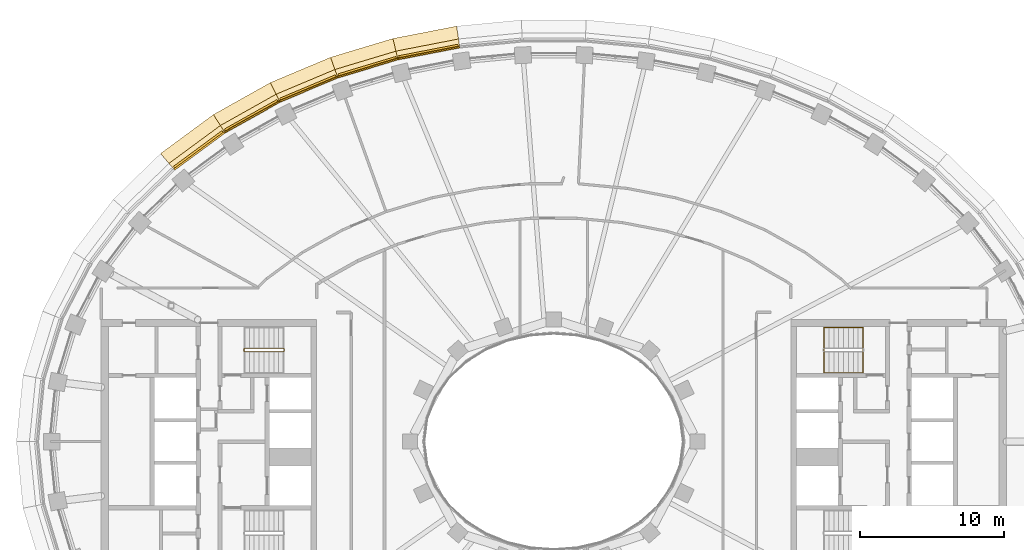
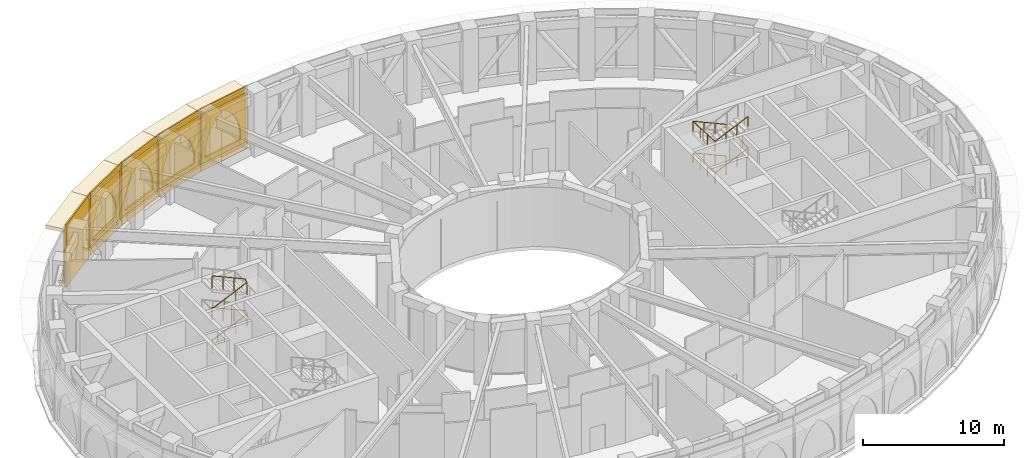
# One storey, part 23 of 25: 20 coverings, 2 railings.
"""IFC4 building model written with IfcOpenShell, lengths in metres."""

from ifc_helpers import new_model, si_unit, direction, frame, origin, origin_2d, place, context, subcontext, project, spatial, polyline, rectangle, outline, extrude, material, layer, layer_set, type_object, element, save


model = new_model("IFC4")

# Units and contexts
model_context = context("Model", 3, precision=1e-05, world=origin(), true_north=direction((0.0, 1.0)))
body_context = subcontext(model_context, "Body", "Model", "MODEL_VIEW")
ifc_project = project(units=[si_unit("LENGTHUNIT", "METRE"), si_unit("AREAUNIT", "SQUARE_METRE"), si_unit("VOLUMEUNIT", "CUBIC_METRE"), si_unit("PLANEANGLEUNIT", "RADIAN"), si_unit("MASSUNIT", "GRAM", prefix="KILO")], contexts=[model_context])

# Site, building, storey
site_placement = place(None, origin())
site = spatial("IfcSite", under=ifc_project, at=site_placement, CompositionType="ELEMENT")
building_placement = place(site_placement, origin())
building = spatial("IfcBuilding", under=site, at=building_placement, Name="Noorbagh Ring Tower", CompositionType="ELEMENT")
storey_placement = place(building_placement, frame((0.0, 0.0, 198.0)))
storey = spatial("IfcBuildingStorey", under=building, at=storey_placement, Name="L46", CompositionType="ELEMENT", Elevation=198.0)

# Railings
ifc_material_1 = material(Name="Stainless steel", Category="steel")
railing_type_1 = type_object("IfcRailingType", Name="CORE-STAIR-GUARD", PredefinedType="GUARDRAIL", material=ifc_material_1)
railing_1_placement = place(storey_placement, frame((-21.580078125, 6.300048828125, 0.0)))
element("IfcRailing", 1, at=railing_1_placement, inside=storey, type_object=railing_type_1, Name="L46 ST1 stair guard", PredefinedType="GUARDRAIL", context=body_context, shape_type="SweptSolid", body=[
    extrude(rectangle(XDim=0.048095703125, YDim=0.048095703125, at=origin_2d()), frame((0.0, 0.0, 1.076171875), z_axis=(0.0, 1.0, 0.0), x_axis=(-1.0, 0.0, 0.0)), (0.0, 0.0, 1.0), 0.14990234375),
    extrude(rectangle(XDim=0.048095703125, YDim=0.048095703125, at=origin_2d()), frame((0.0, 0.14990234375, 1.076171875), z_axis=(0.195046945594, -0.779236333862, 0.595606770449), x_axis=(0.970072785993, 0.242814311512, 0.0)), (0.0, 0.0, 1.0), 0.256591796875),
    extrude(rectangle(XDim=0.048095703125, YDim=0.048095703125, at=origin_2d()), frame((0.050048828125, -0.050048828125, 1.22900390625), z_axis=(0.912149621895, 0.0, 0.409857374312), x_axis=(0.0, 1.0, 0.0)), (0.0, 0.0, 1.0), 2.98193359375),
    extrude(rectangle(XDim=0.048095703125, YDim=0.048095703125, at=origin_2d()), frame((2.77001953125, -0.050048828125, 2.451171875), z_axis=(0.707106781187, 0.707106781187, 0.0), x_axis=(-0.707106781187, 0.707106781187, 0.0)), (0.0, 0.0, 1.0), 0.07080078125),
    extrude(rectangle(XDim=0.048095703125, YDim=0.048095703125, at=origin_2d()), frame((2.820068359375, 0.0, 2.451171875), z_axis=(0.0, 1.0, 0.0), x_axis=(-1.0, 0.0, 0.0)), (0.0, 0.0, 1.0), 0.14990234375),
    extrude(rectangle(XDim=0.048095703125, YDim=0.048095703125, at=origin_2d()), frame((2.820068359375, 0.14990234375, 2.451171875), z_axis=(-0.297155754911, 0.297155754911, 0.90741220768), x_axis=(-0.707106781187, -0.707106781187, 0.0)), (0.0, 0.0, 1.0), 0.16845703125),
    extrude(rectangle(XDim=0.048095703125, YDim=0.048095703125, at=origin_2d()), frame((2.77001953125, 0.199951171875, 2.60400390625), z_axis=(-0.912149621895, 0.0, 0.409857374312), x_axis=(0.0, -1.0, 0.0)), (0.0, 0.0, 1.0), 2.98193359375),
    extrude(rectangle(XDim=0.048095703125, YDim=0.048095703125, at=origin_2d()), frame((0.050048828125, 0.199951171875, 3.826171875), z_axis=(-0.242814311512, -0.970072785993, 0.0), x_axis=(0.970072785993, -0.242814311512, 0.0)), (0.0, 0.0, 1.0), 0.2060546875),
    extrude(rectangle(XDim=0.048095703125, YDim=0.048095703125, at=origin_2d()), frame((0.0, 0.0, 3.826171875), z_axis=(0.0, 1.0, 0.0), x_axis=(-1.0, 0.0, 0.0)), (0.0, 0.0, 1.0), 0.14990234375),
    extrude(rectangle(XDim=0.048095703125, YDim=0.048095703125, at=origin_2d()), frame((0.0, 0.14990234375, 3.826171875), z_axis=(0.195046945594, -0.779236333862, 0.595606770449), x_axis=(0.970072785993, 0.242814311512, 0.0)), (0.0, 0.0, 1.0), 0.256591796875),
    extrude(rectangle(XDim=0.048095703125, YDim=0.048095703125, at=origin_2d()), frame((0.050048828125, -0.050048828125, 3.97900390625), z_axis=(0.912149621895, 0.0, 0.409857374312), x_axis=(0.0, 1.0, 0.0)), (0.0, 0.0, 1.0), 2.98193359375),
    extrude(rectangle(XDim=0.048095703125, YDim=0.048095703125, at=origin_2d()), frame((2.77001953125, -0.050048828125, 5.201171875), z_axis=(0.707106781187, 0.707106781187, 0.0), x_axis=(-0.707106781187, 0.707106781187, 0.0)), (0.0, 0.0, 1.0), 0.07080078125),
    extrude(rectangle(XDim=0.048095703125, YDim=0.048095703125, at=origin_2d()), frame((2.820068359375, 0.0, 5.201171875), z_axis=(0.0, 1.0, 0.0), x_axis=(-1.0, 0.0, 0.0)), (0.0, 0.0, 1.0), 0.14990234375),
    extrude(rectangle(XDim=0.048095703125, YDim=0.048095703125, at=origin_2d()), frame((2.820068359375, 0.14990234375, 5.201171875), z_axis=(-0.297155754911, 0.297155754911, 0.90741220768), x_axis=(-0.707106781187, -0.707106781187, 0.0)), (0.0, 0.0, 1.0), 0.16845703125),
    extrude(rectangle(XDim=0.048095703125, YDim=0.048095703125, at=origin_2d()), frame((2.77001953125, 0.199951171875, 5.35400390625), z_axis=(-0.912149621895, 0.0, 0.409857374312), x_axis=(0.0, -1.0, 0.0)), (0.0, 0.0, 1.0), 2.98193359375),
    extrude(rectangle(XDim=0.0419921875, YDim=0.0419921875, at=origin_2d()), origin(), (0.0, 0.0, 1.0), 1.052001953125),
    extrude(rectangle(XDim=0.0419921875, YDim=0.0419921875, at=origin_2d()), frame((0.956787109375, -0.050048828125, 0.560302734375)), (0.0, 0.0, 1.0), 1.052001953125),
    extrude(rectangle(XDim=0.0419921875, YDim=0.0419921875, at=origin_2d()), frame((1.86328125, -0.050048828125, 0.967529296875)), (0.0, 0.0, 1.0), 1.052001953125),
    extrude(rectangle(XDim=0.0419921875, YDim=0.0419921875, at=origin_2d()), frame((2.77001953125, -0.050048828125, 1.375)), (0.0, 0.0, 1.0), 1.052001953125),
    extrude(rectangle(XDim=0.0419921875, YDim=0.0419921875, at=origin_2d()), frame((1.86328125, 0.199951171875, 1.935302734375)), (0.0, 0.0, 1.0), 1.052001953125),
    extrude(rectangle(XDim=0.0419921875, YDim=0.0419921875, at=origin_2d()), frame((0.956787109375, 0.199951171875, 2.342529296875)), (0.0, 0.0, 1.0), 1.052001953125),
    extrude(rectangle(XDim=0.0419921875, YDim=0.0419921875, at=origin_2d()), frame((0.050048828125, 0.199951171875, 2.75)), (0.0, 0.0, 1.0), 1.052001953125),
    extrude(rectangle(XDim=0.0419921875, YDim=0.0419921875, at=origin_2d()), frame((0.956787109375, -0.050048828125, 3.310302734375)), (0.0, 0.0, 1.0), 1.052001953125),
    extrude(rectangle(XDim=0.0419921875, YDim=0.0419921875, at=origin_2d()), frame((1.86328125, -0.050048828125, 3.717529296875)), (0.0, 0.0, 1.0), 1.052001953125),
    extrude(rectangle(XDim=0.0419921875, YDim=0.0419921875, at=origin_2d()), frame((2.77001953125, -0.050048828125, 4.125)), (0.0, 0.0, 1.0), 1.052001953125),
    extrude(rectangle(XDim=0.0419921875, YDim=0.0419921875, at=origin_2d()), frame((1.86328125, 0.199951171875, 4.685302734375)), (0.0, 0.0, 1.0), 1.052001953125),
    extrude(rectangle(XDim=0.0419921875, YDim=0.0419921875, at=origin_2d()), frame((0.956787109375, 0.199951171875, 5.092529296875)), (0.0, 0.0, 1.0), 1.052001953125),
    extrude(rectangle(XDim=0.0419921875, YDim=0.0419921875, at=origin_2d()), frame((0.050048828125, 0.199951171875, 5.5)), (0.0, 0.0, 1.0), 1.052001953125),
])
ifc_material_2 = material(Name="Stainless steel", Category="steel")
railing_type_2 = type_object("IfcRailingType", Name="CORE-STAIR-HANDRAIL", PredefinedType="HANDRAIL", material=ifc_material_2)
railing_2_placement = place(storey_placement, frame((21.530029296875, 7.949951171875, 0.15283203125)))
element("IfcRailing", 2, at=railing_2_placement, inside=storey, type_object=railing_type_2, Name="L46 ST3 stair handrail", PredefinedType="HANDRAIL", context=body_context, shape_type="SweptSolid", body=[
    extrude(rectangle(XDim=0.048095703125, YDim=0.048095703125, at=origin_2d()), frame((0.0, 0.0, 0.8759765625), z_axis=(-0.912149621895, 0.0, 0.409857374312), x_axis=(0.0, -1.0, 0.0)), (0.0, 0.0, 1.0), 2.98193359375),
    extrude(rectangle(XDim=0.048095703125, YDim=0.048095703125, at=origin_2d()), frame((-2.719970703125, 0.0, 2.09814453125), z_axis=(0.0, -0.998824997948, 0.048462598722), x_axis=(1.0, 0.0, 0.0)), (0.0, 0.0, 1.0), 3.153564453125),
    extrude(rectangle(XDim=0.048095703125, YDim=0.048095703125, at=origin_2d()), frame((-2.719970703125, -3.14990234375, 2.2509765625), z_axis=(0.912149621895, 0.0, 0.409857374312), x_axis=(0.0, 1.0, 0.0)), (0.0, 0.0, 1.0), 2.98193359375),
    extrude(rectangle(XDim=0.048095703125, YDim=0.048095703125, at=origin_2d()), frame((0.0, -3.14990234375, 3.47314453125), z_axis=(0.0, 0.998824997948, 0.048462598722), x_axis=(-1.0, 0.0, 0.0)), (0.0, 0.0, 1.0), 3.153564453125),
    extrude(rectangle(XDim=0.048095703125, YDim=0.048095703125, at=origin_2d()), frame((0.0, 0.0, 3.6259765625), z_axis=(-0.912149621895, 0.0, 0.409857374312), x_axis=(0.0, -1.0, 0.0)), (0.0, 0.0, 1.0), 2.98193359375),
    extrude(rectangle(XDim=0.048095703125, YDim=0.048095703125, at=origin_2d()), frame((-2.719970703125, 0.0, 4.84814453125), z_axis=(0.0, -0.998824997948, 0.048462598722), x_axis=(1.0, 0.0, 0.0)), (0.0, 0.0, 1.0), 3.153564453125),
    extrude(rectangle(XDim=0.048095703125, YDim=0.048095703125, at=origin_2d()), frame((-2.719970703125, -3.14990234375, 5.0009765625), z_axis=(0.912149621895, 0.0, 0.409857374312), x_axis=(0.0, 1.0, 0.0)), (0.0, 0.0, 1.0), 2.98193359375),
    extrude(rectangle(XDim=0.0419921875, YDim=0.0419921875, at=origin_2d()), origin(), (0.0, 0.0, 1.0), 0.851806640625),
    extrude(rectangle(XDim=0.0419921875, YDim=0.0419921875, at=origin_2d()), frame((-0.90673828125, 0.0, 0.407470703125)), (0.0, 0.0, 1.0), 0.851806640625),
    extrude(rectangle(XDim=0.0419921875, YDim=0.0419921875, at=origin_2d()), frame((-1.813232421875, 0.0, 0.814697265625)), (0.0, 0.0, 1.0), 0.851806640625),
    extrude(rectangle(XDim=0.0419921875, YDim=0.0419921875, at=origin_2d()), frame((-2.719970703125, 0.0, 1.22216796875)), (0.0, 0.0, 1.0), 0.851806640625),
    extrude(rectangle(XDim=0.0419921875, YDim=0.0419921875, at=origin_2d()), frame((-2.719970703125, -1.050048828125, 1.273193359375)), (0.0, 0.0, 1.0), 0.851806640625),
    extrude(rectangle(XDim=0.0419921875, YDim=0.0419921875, at=origin_2d()), frame((-2.719970703125, -2.099853515625, 1.323974609375)), (0.0, 0.0, 1.0), 0.851806640625),
    extrude(rectangle(XDim=0.0419921875, YDim=0.0419921875, at=origin_2d()), frame((-2.719970703125, -3.14990234375, 1.375)), (0.0, 0.0, 1.0), 0.851806640625),
    extrude(rectangle(XDim=0.0419921875, YDim=0.0419921875, at=origin_2d()), frame((-1.813232421875, -3.14990234375, 1.782470703125)), (0.0, 0.0, 1.0), 0.851806640625),
    extrude(rectangle(XDim=0.0419921875, YDim=0.0419921875, at=origin_2d()), frame((-0.90673828125, -3.14990234375, 2.189697265625)), (0.0, 0.0, 1.0), 0.851806640625),
    extrude(rectangle(XDim=0.0419921875, YDim=0.0419921875, at=origin_2d()), frame((0.0, -3.14990234375, 2.59716796875)), (0.0, 0.0, 1.0), 0.851806640625),
    extrude(rectangle(XDim=0.0419921875, YDim=0.0419921875, at=origin_2d()), frame((0.0, -2.099853515625, 2.648193359375)), (0.0, 0.0, 1.0), 0.851806640625),
    extrude(rectangle(XDim=0.0419921875, YDim=0.0419921875, at=origin_2d()), frame((0.0, -1.050048828125, 2.698974609375)), (0.0, 0.0, 1.0), 0.851806640625),
    extrude(rectangle(XDim=0.0419921875, YDim=0.0419921875, at=origin_2d()), frame((0.0, 0.0, 2.75)), (0.0, 0.0, 1.0), 0.851806640625),
    extrude(rectangle(XDim=0.0419921875, YDim=0.0419921875, at=origin_2d()), frame((-0.90673828125, 0.0, 3.157470703125)), (0.0, 0.0, 1.0), 0.851806640625),
    extrude(rectangle(XDim=0.0419921875, YDim=0.0419921875, at=origin_2d()), frame((-1.813232421875, 0.0, 3.564697265625)), (0.0, 0.0, 1.0), 0.851806640625),
    extrude(rectangle(XDim=0.0419921875, YDim=0.0419921875, at=origin_2d()), frame((-2.719970703125, 0.0, 3.97216796875)), (0.0, 0.0, 1.0), 0.851806640625),
    extrude(rectangle(XDim=0.0419921875, YDim=0.0419921875, at=origin_2d()), frame((-2.719970703125, -1.050048828125, 4.023193359375)), (0.0, 0.0, 1.0), 0.851806640625),
    extrude(rectangle(XDim=0.0419921875, YDim=0.0419921875, at=origin_2d()), frame((-2.719970703125, -2.099853515625, 4.073974609375)), (0.0, 0.0, 1.0), 0.851806640625),
    extrude(rectangle(XDim=0.0419921875, YDim=0.0419921875, at=origin_2d()), frame((-2.719970703125, -3.14990234375, 4.125)), (0.0, 0.0, 1.0), 0.851806640625),
    extrude(rectangle(XDim=0.0419921875, YDim=0.0419921875, at=origin_2d()), frame((-1.813232421875, -3.14990234375, 4.532470703125)), (0.0, 0.0, 1.0), 0.851806640625),
    extrude(rectangle(XDim=0.0419921875, YDim=0.0419921875, at=origin_2d()), frame((-0.90673828125, -3.14990234375, 4.939697265625)), (0.0, 0.0, 1.0), 0.851806640625),
    extrude(rectangle(XDim=0.0419921875, YDim=0.0419921875, at=origin_2d()), frame((0.0, -3.14990234375, 5.34716796875)), (0.0, 0.0, 1.0), 0.851806640625),
])

# Coverings
ifc_material_3 = material(Name="Aluminium 6063-T6 black anodised", Category="aluminium")
ifc_layer_1 = layer(ifc_material_3, 0.1201171875)
ifc_layer_set_1 = layer_set([ifc_layer_1], Name="Aluminium 6063-T6 black anodised")
covering_type_1 = type_object("IfcCoveringType", Name="ENV-LOUVRE-BAND", PredefinedType="CLADDING", material=ifc_layer_set_1)
covering_1_placement = place(storey_placement, frame((-8.700927734375, 27.053955078125, -0.2998046875), z_axis=(0.0, 0.0, 1.0), x_axis=(-0.981624952922, -0.190820470077, 0.0)))
element("IfcCovering", 3, at=covering_1_placement, inside=storey, type_object=covering_type_1, Name="Louvre screen chord 14", ObjectType="LOUVRE", PredefinedType="CLADDING", context=body_context, shape_type="SweptSolid", body=[
    extrude(rectangle(XDim=4.349853515625, YDim=0.1201171875, at=origin_2d()), origin(), (0.0, 0.0, 1.0), 5.449951171875),
])
covering_2_placement = place(storey_placement, frame((-12.947998046875, 26.0048828125, -0.2998046875), z_axis=(0.0, 0.0, 1.0), x_axis=(-0.957577925467, -0.28817445525, 0.0)))
element("IfcCovering", 4, at=covering_2_placement, inside=storey, type_object=covering_type_1, Name="Louvre screen chord 15", ObjectType="LOUVRE", PredefinedType="CLADDING", context=body_context, shape_type="SweptSolid", body=[
    extrude(rectangle(XDim=4.349609375, YDim=0.1201171875, at=origin_2d()), origin(), (0.0, 0.0, 1.0), 5.449951171875),
])
covering_3_placement = place(storey_placement, frame((-17.0634765625, 24.52490234375, -0.2998046875), z_axis=(0.0, 0.0, 1.0), x_axis=(-0.921811566494, -0.387638279686, 0.0)))
element("IfcCovering", 5, at=covering_3_placement, inside=storey, type_object=covering_type_1, Name="Louvre screen chord 16", ObjectType="LOUVRE", PredefinedType="CLADDING", context=body_context, shape_type="SweptSolid", body=[
    extrude(rectangle(XDim=4.349365234375, YDim=0.1201171875, at=origin_2d()), origin(), (0.0, 0.0, 1.0), 5.449951171875),
])
covering_4_placement = place(storey_placement, frame((-20.990966796875, 22.604736328125, -0.2998046875), z_axis=(0.0, 0.0, 1.0), x_axis=(-0.872044586249, -0.48942643941, 0.0)))
element("IfcCovering", 6, at=covering_4_placement, inside=storey, type_object=covering_type_1, Name="Louvre screen chord 17", ObjectType="LOUVRE", PredefinedType="CLADDING", context=body_context, shape_type="SweptSolid", body=[
    extrude(rectangle(XDim=4.34912109375, YDim=0.1201171875, at=origin_2d()), origin(), (0.0, 0.0, 1.0), 5.449951171875),
])
covering_5_placement = place(storey_placement, frame((-24.662109375, 20.2353515625, -0.2998046875), z_axis=(0.0, 0.0, 1.0), x_axis=(-0.805153045326, -0.593067090304, 0.0)))
element("IfcCovering", 7, at=covering_5_placement, inside=storey, type_object=covering_type_1, Name="Louvre screen chord 18", ObjectType="LOUVRE", PredefinedType="CLADDING", context=body_context, shape_type="SweptSolid", body=[
    extrude(rectangle(XDim=4.3486328125, YDim=0.1201171875, at=origin_2d()), origin(), (0.0, 0.0, 1.0), 5.449951171875),
])
ifc_material_4 = material(Name="Red sandstone cladding", Category="masonry")
ifc_layer_2 = layer(ifc_material_4, 0.14990234375)
ifc_layer_set_2 = layer_set([ifc_layer_2], Name="Red sandstone cladding")
covering_type_2 = type_object("IfcCoveringType", Name="STYLE-BAND-ARCADE", PredefinedType="USERDEFINED", material=ifc_layer_set_2)
covering_6_placement = place(storey_placement, frame((-6.6865234375, 27.659423828125, 0.25), z_axis=(-0.190819708322, 0.981625101001, 0.0), x_axis=(-0.981625101001, -0.190819708322, 0.0)))
element("IfcCovering", 8, at=covering_6_placement, inside=storey, type_object=covering_type_2, Name="Blind arch bay of the band", ObjectType="ARCH", PredefinedType="USERDEFINED", context=body_context, shape_type="SweptSolid", body=[
    extrude(outline(polyline([(0.0, 0.0), (4.186279296875, 0.0), (4.186279296875, 4.25), (0.0, 4.25), (0.0, 0.0)]), holes=[polyline([(0.449951171875, 0.39990234375), (0.449951171875, 0.85400390625), (0.47802734375, 1.283203125), (0.56201171875, 1.70458984375), (0.7001953125, 2.11181640625), (0.890380859375, 2.497314453125), (1.129150390625, 2.854736328125), (1.41259765625, 3.177734375), (1.735595703125, 3.461181640625), (2.093017578125, 3.7001953125), (2.450439453125, 3.461181640625), (2.773681640625, 3.177734375), (3.05712890625, 2.854736328125), (3.2958984375, 2.497314453125), (3.486083984375, 2.11181640625), (3.624267578125, 1.70458984375), (3.7080078125, 1.283203125), (3.736083984375, 0.85400390625), (3.736083984375, 0.39990234375), (0.449951171875, 0.39990234375)])]), origin(), (0.0, 0.0, -1.0), 0.14990234375),
])
covering_7_placement = place(storey_placement, frame((-11.00439453125, 26.80908203125, 0.25), z_axis=(-0.288182515773, 0.957575499688, 0.0), x_axis=(-0.957575499688, -0.288182515773, 0.0)))
element("IfcCovering", 9, at=covering_7_placement, inside=storey, type_object=covering_type_2, Name="Blind arch bay of the band", ObjectType="ARCH", PredefinedType="USERDEFINED", context=body_context, shape_type="SweptSolid", body=[
    extrude(outline(polyline([(0.0, 0.0), (4.185791015625, 0.0), (4.185791015625, 4.25), (0.0, 4.25), (0.0, 0.0)]), holes=[polyline([(0.449951171875, 0.39990234375), (0.449951171875, 0.854248046875), (0.47802734375, 1.283203125), (0.56201171875, 1.704833984375), (0.7001953125, 2.11181640625), (0.890380859375, 2.497314453125), (1.129150390625, 2.854736328125), (1.41259765625, 3.177978515625), (1.735595703125, 3.461181640625), (2.093017578125, 3.7001953125), (2.450439453125, 3.461181640625), (2.773681640625, 3.177978515625), (3.056884765625, 2.854736328125), (3.2958984375, 2.497314453125), (3.48583984375, 2.11181640625), (3.6240234375, 1.704833984375), (3.7080078125, 1.283203125), (3.736083984375, 0.854248046875), (3.736083984375, 0.39990234375), (0.449951171875, 0.39990234375)])]), origin(), (0.0, 0.0, -1.0), 0.14990234375),
])
covering_8_placement = place(storey_placement, frame((-15.215576171875, 25.52978515625, 0.25), z_axis=(-0.387624121421, 0.92181752017, 0.0), x_axis=(-0.92181752017, -0.387624121421, 0.0)))
element("IfcCovering", 10, at=covering_8_placement, inside=storey, type_object=covering_type_2, Name="Blind arch bay of the band", ObjectType="ARCH", PredefinedType="USERDEFINED", context=body_context, shape_type="SweptSolid", body=[
    extrude(outline(polyline([(0.0, 0.0), (4.185791015625, 0.0), (4.185791015625, 4.25), (0.0, 4.25), (0.0, 0.0)]), holes=[polyline([(0.449951171875, 0.39990234375), (0.449951171875, 0.8544921875), (0.47802734375, 1.283447265625), (0.56201171875, 1.704833984375), (0.7001953125, 2.11181640625), (0.89013671875, 2.497314453125), (1.12890625, 2.854736328125), (1.412353515625, 3.177978515625), (1.735595703125, 3.461181640625), (2.093017578125, 3.7001953125), (2.4501953125, 3.461181640625), (2.7734375, 3.177978515625), (3.056884765625, 2.854736328125), (3.295654296875, 2.497314453125), (3.485595703125, 2.11181640625), (3.623779296875, 1.704833984375), (3.707763671875, 1.283447265625), (3.73583984375, 0.8544921875), (3.73583984375, 0.39990234375), (0.449951171875, 0.39990234375)])]), origin(), (0.0, 0.0, -1.0), 0.14990234375),
])
covering_9_placement = place(storey_placement, frame((-19.268798828125, 23.81201171875, 0.25), z_axis=(-0.489402470802, 0.872058037961, 0.0), x_axis=(-0.872058037961, -0.489402470802, 0.0)))
element("IfcCovering", 11, at=covering_9_placement, inside=storey, type_object=covering_type_2, Name="Blind arch bay of the band", ObjectType="ARCH", PredefinedType="USERDEFINED", context=body_context, shape_type="SweptSolid", body=[
    extrude(outline(polyline([(0.0, 0.0), (4.185302734375, 0.0), (4.185302734375, 4.25), (0.0, 4.25), (0.0, 0.0)]), holes=[polyline([(0.449951171875, 0.39990234375), (0.449951171875, 0.854736328125), (0.47802734375, 1.28369140625), (0.56201171875, 1.705078125), (0.7001953125, 2.112060546875), (0.89013671875, 2.49755859375), (1.12890625, 2.85498046875), (1.412353515625, 3.177978515625), (1.7353515625, 3.461181640625), (2.0927734375, 3.7001953125), (2.4501953125, 3.461181640625), (2.773193359375, 3.177978515625), (3.056396484375, 2.85498046875), (3.29541015625, 2.49755859375), (3.4853515625, 2.112060546875), (3.62353515625, 1.705078125), (3.70751953125, 1.28369140625), (3.735595703125, 0.854736328125), (3.735595703125, 0.39990234375), (0.449951171875, 0.39990234375)])]), origin(), (0.0, 0.0, -1.0), 0.14990234375),
])
covering_10_placement = place(storey_placement, frame((-23.10205078125, 21.645263671875, 0.25), z_axis=(-0.593079629262, 0.805143809114, 0.0), x_axis=(-0.805143809114, -0.593079629262, 0.0)))
element("IfcCovering", 12, at=covering_10_placement, inside=storey, type_object=covering_type_2, Name="Blind arch bay of the band", ObjectType="ARCH", PredefinedType="USERDEFINED", context=body_context, shape_type="SweptSolid", body=[
    extrude(outline(polyline([(0.0, 0.0), (4.184814453125, 0.0), (4.184814453125, 4.25), (0.0, 4.25), (0.0, 0.0)]), holes=[polyline([(0.449951171875, 0.39990234375), (0.449951171875, 0.855224609375), (0.47802734375, 1.283935546875), (0.56201171875, 1.705322265625), (0.7001953125, 2.1123046875), (0.89013671875, 2.497802734375), (1.12890625, 2.85498046875), (1.412109375, 3.177978515625), (1.735107421875, 3.46142578125), (2.092529296875, 3.7001953125), (2.44970703125, 3.46142578125), (2.772705078125, 3.177978515625), (3.05615234375, 2.85498046875), (3.294921875, 2.497802734375), (3.48486328125, 2.1123046875), (3.623046875, 1.705322265625), (3.706787109375, 1.283935546875), (3.73486328125, 0.855224609375), (3.73486328125, 0.39990234375), (0.449951171875, 0.39990234375)])]), origin(), (0.0, 0.0, -1.0), 0.14990234375),
])
ifc_material_5 = material(Name="Red sandstone eave", Category="masonry")
covering_type_3 = type_object("IfcCoveringType", Name="STYLE-BAND-EAVE", PredefinedType="USERDEFINED", material=ifc_material_5)
covering_11_placement = place(storey_placement, frame((0.0, 0.0, 4.5)))
element("IfcCovering", 13, at=covering_11_placement, inside=storey, type_object=covering_type_3, Name="Chhajja eave", ObjectType="CHHAJJA", PredefinedType="USERDEFINED", context=body_context, shape_type="SweptSolid", body=[
    extrude(outline(polyline([(-6.559814453125, 27.53125), (-10.865234375, 26.6943359375), (-11.201416015625, 28.05517578125), (-6.76025390625, 28.91845703125), (-6.559814453125, 27.53125)])), origin(), (0.0, 0.0, 1.0), 0.300048828125),
])
covering_12_placement = place(storey_placement, frame((0.0, 0.0, 4.5)))
element("IfcCovering", 14, at=covering_12_placement, inside=storey, type_object=covering_type_3, Name="Chhajja eave", ObjectType="CHHAJJA", PredefinedType="USERDEFINED", context=body_context, shape_type="SweptSolid", body=[
    extrude(outline(polyline([(-10.865234375, 26.6943359375), (-15.065185546875, 25.430419921875), (-15.539794921875, 26.74951171875), (-11.201416015625, 28.05517578125), (-10.865234375, 26.6943359375)])), origin(), (0.0, 0.0, 1.0), 0.300048828125),
])
covering_13_placement = place(storey_placement, frame((0.0, 0.0, 4.5)))
element("IfcCovering", 15, at=covering_13_placement, inside=storey, type_object=covering_type_3, Name="Chhajja eave", ObjectType="CHHAJJA", PredefinedType="USERDEFINED", context=body_context, shape_type="SweptSolid", body=[
    extrude(outline(polyline([(-15.065185546875, 25.430419921875), (-19.108154296875, 23.730224609375), (-19.72412109375, 24.989990234375), (-15.539794921875, 26.74951171875), (-15.065185546875, 25.430419921875)])), origin(), (0.0, 0.0, 1.0), 0.300048828125),
])
covering_14_placement = place(storey_placement, frame((0.0, 0.0, 4.5)))
element("IfcCovering", 16, at=covering_14_placement, inside=storey, type_object=covering_type_3, Name="Chhajja eave", ObjectType="CHHAJJA", PredefinedType="USERDEFINED", context=body_context, shape_type="SweptSolid", body=[
    extrude(outline(polyline([(-19.108154296875, 23.730224609375), (-22.9326171875, 21.583740234375), (-23.693115234375, 22.762451171875), (-19.72412109375, 24.989990234375), (-19.108154296875, 23.730224609375)])), origin(), (0.0, 0.0, 1.0), 0.300048828125),
])
covering_15_placement = place(storey_placement, frame((0.0, 0.0, 4.5)))
element("IfcCovering", 17, at=covering_15_placement, inside=storey, type_object=covering_type_3, Name="Chhajja eave", ObjectType="CHHAJJA", PredefinedType="USERDEFINED", context=body_context, shape_type="SweptSolid", body=[
    extrude(outline(polyline([(-22.9326171875, 21.583740234375), (-26.463134765625, 18.9833984375), (-27.3701171875, 20.053955078125), (-23.693115234375, 22.762451171875), (-22.9326171875, 21.583740234375)])), origin(), (0.0, 0.0, 1.0), 0.300048828125),
])
ifc_material_6 = material(Name="Red sandstone eave", Category="masonry")
covering_type_4 = type_object("IfcCoveringType", Name="STYLE-BAND-SILL", PredefinedType="USERDEFINED", material=ifc_material_6)
covering_16_placement = place(storey_placement, frame((0.0, 0.0, 0.050048828125)))
element("IfcCovering", 18, at=covering_16_placement, inside=storey, type_object=covering_type_4, Name="Sill ledge", ObjectType="CHHAJJA", PredefinedType="USERDEFINED", context=body_context, shape_type="SweptSolid", body=[
    extrude(outline(polyline([(-6.559814453125, 27.53125), (-10.865234375, 26.6943359375), (-10.9853515625, 27.180419921875), (-6.63134765625, 28.026611328125), (-6.559814453125, 27.53125)])), origin(), (0.0, 0.0, 1.0), 0.199951171875),
])
covering_17_placement = place(storey_placement, frame((0.0, 0.0, 0.050048828125)))
element("IfcCovering", 19, at=covering_17_placement, inside=storey, type_object=covering_type_4, Name="Sill ledge", ObjectType="CHHAJJA", PredefinedType="USERDEFINED", context=body_context, shape_type="SweptSolid", body=[
    extrude(outline(polyline([(-10.865234375, 26.6943359375), (-15.065185546875, 25.430419921875), (-15.234619140625, 25.901611328125), (-10.9853515625, 27.180419921875), (-10.865234375, 26.6943359375)])), origin(), (0.0, 0.0, 1.0), 0.199951171875),
])
covering_18_placement = place(storey_placement, frame((0.0, 0.0, 0.050048828125)))
element("IfcCovering", 20, at=covering_18_placement, inside=storey, type_object=covering_type_4, Name="Sill ledge", ObjectType="CHHAJJA", PredefinedType="USERDEFINED", context=body_context, shape_type="SweptSolid", body=[
    extrude(outline(polyline([(-15.065185546875, 25.430419921875), (-19.108154296875, 23.730224609375), (-19.328125, 24.18017578125), (-15.234619140625, 25.901611328125), (-15.065185546875, 25.430419921875)])), origin(), (0.0, 0.0, 1.0), 0.199951171875),
])
covering_19_placement = place(storey_placement, frame((0.0, 0.0, 0.050048828125)))
element("IfcCovering", 21, at=covering_19_placement, inside=storey, type_object=covering_type_4, Name="Sill ledge", ObjectType="CHHAJJA", PredefinedType="USERDEFINED", context=body_context, shape_type="SweptSolid", body=[
    extrude(outline(polyline([(-19.108154296875, 23.730224609375), (-22.9326171875, 21.583740234375), (-23.2041015625, 22.004638671875), (-19.328125, 24.18017578125), (-19.108154296875, 23.730224609375)])), origin(), (0.0, 0.0, 1.0), 0.199951171875),
])
covering_20_placement = place(storey_placement, frame((0.0, 0.0, 0.050048828125)))
element("IfcCovering", 22, at=covering_20_placement, inside=storey, type_object=covering_type_4, Name="Sill ledge", ObjectType="CHHAJJA", PredefinedType="USERDEFINED", context=body_context, shape_type="SweptSolid", body=[
    extrude(outline(polyline([(-22.9326171875, 21.583740234375), (-26.463134765625, 18.9833984375), (-26.787109375, 19.365478515625), (-23.2041015625, 22.004638671875), (-22.9326171875, 21.583740234375)])), origin(), (0.0, 0.0, 1.0), 0.199951171875),
])

save(model, "model.ifc")
